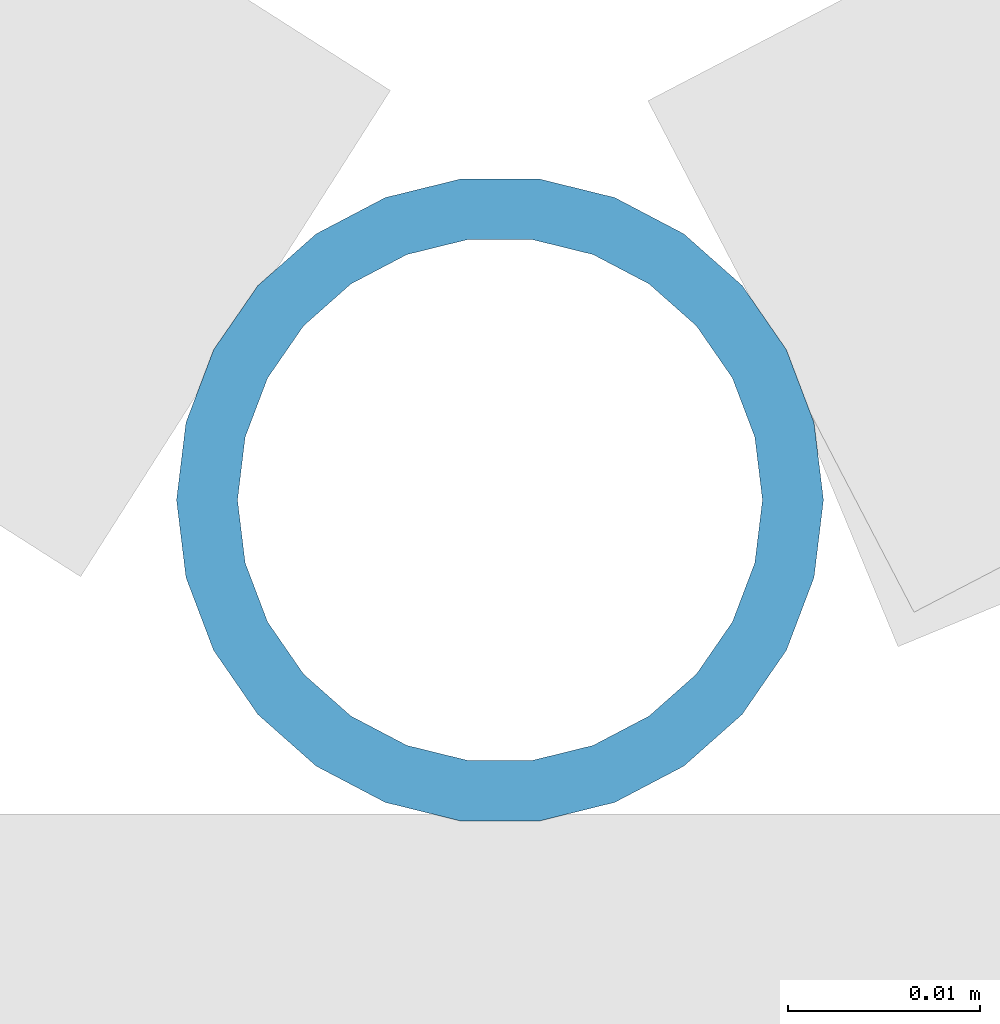
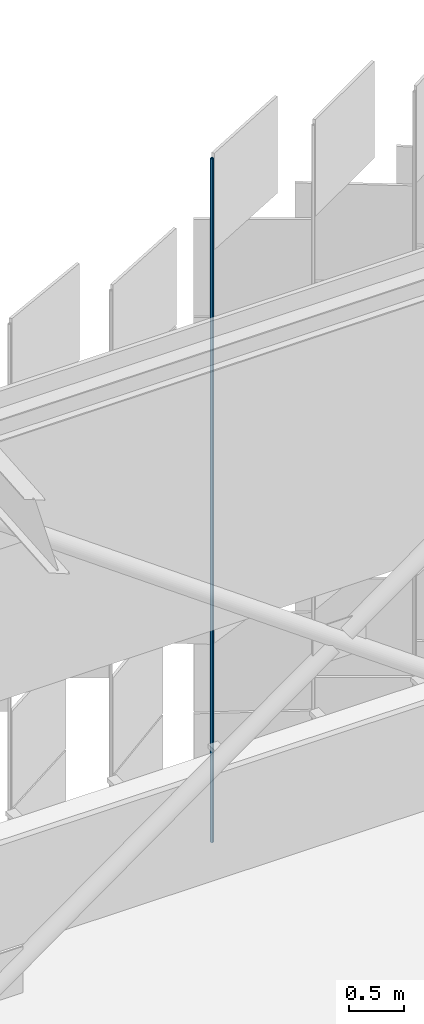
# One storey, part 371 of 483: 1 discrete accessory.
"""IFC4 building model written with IfcOpenShell, lengths in metres."""

from ifc_helpers import new_model, si_unit, direction, frame, origin, origin_2d, place, context, subcontext, project, spatial, hollow_circle, extrude, material, material_profile, profile_set, type_object, element, save


model = new_model("IFC4")

# Units and contexts
model_context = context("Model", 3, precision=1e-05, world=origin(), true_north=direction((0.0, 1.0)))
body_context = subcontext(model_context, "Body", "Model", "MODEL_VIEW")
ifc_project = project(units=[si_unit("LENGTHUNIT", "METRE"), si_unit("AREAUNIT", "SQUARE_METRE"), si_unit("VOLUMEUNIT", "CUBIC_METRE"), si_unit("PLANEANGLEUNIT", "RADIAN"), si_unit("MASSUNIT", "GRAM", prefix="KILO")], contexts=[model_context])

# Site, building, storey
site_placement = place(None, origin())
site = spatial("IfcSite", under=ifc_project, at=site_placement, CompositionType="ELEMENT")
building_placement = place(site_placement, origin())
building = spatial("IfcBuilding", under=site, at=building_placement, Name="Parallax Yard Mobility Hub", CompositionType="ELEMENT")
storey_placement = place(building_placement, frame((0.0, 0.0, 13.199951171875)))
storey = spatial("IfcBuildingStorey", under=building, at=storey_placement, Name="L04", CompositionType="ELEMENT", Elevation=13.199951171875)

# Discrete accessory
ifc_material = material(Name="Steel ASTM A500 Gr C, hot-dip galvanised", Category="steel")
ifc_material_profile = material_profile(ifc_material, hollow_circle(Radius=0.016845703125, WallThickness=0.003173828125, at=origin_2d()), Name="CHS 33.7x3.2")
ifc_profile_set = profile_set([ifc_material_profile], Name="Steel ASTM A500 Gr C, hot-dip galvanised")
discrete_accessory_type = type_object("IfcDiscreteAccessoryType", Name="Hinge post CHS 33.7x3.2", PredefinedType="BRACKET", material=ifc_profile_set)
discrete_accessory_placement = place(storey_placement, frame((153.2138671875, 142.800048828125, 0.0), z_axis=(0.0, 0.0, 1.0), x_axis=(1.0, 0.0, 0.0)))
element("IfcDiscreteAccessory", 1, at=discrete_accessory_placement, inside=storey, type_object=discrete_accessory_type, Name="Hinge post bay 53.5 level L04", PredefinedType="BRACKET", context=body_context, shape_type="SweptSolid", body=[
    extrude(hollow_circle(Radius=0.016845703125, WallThickness=0.003173828125, at=origin_2d()), origin(), (0.0, 0.0, 1.0), 7.650146484375),
])

save(model, "model.ifc")
